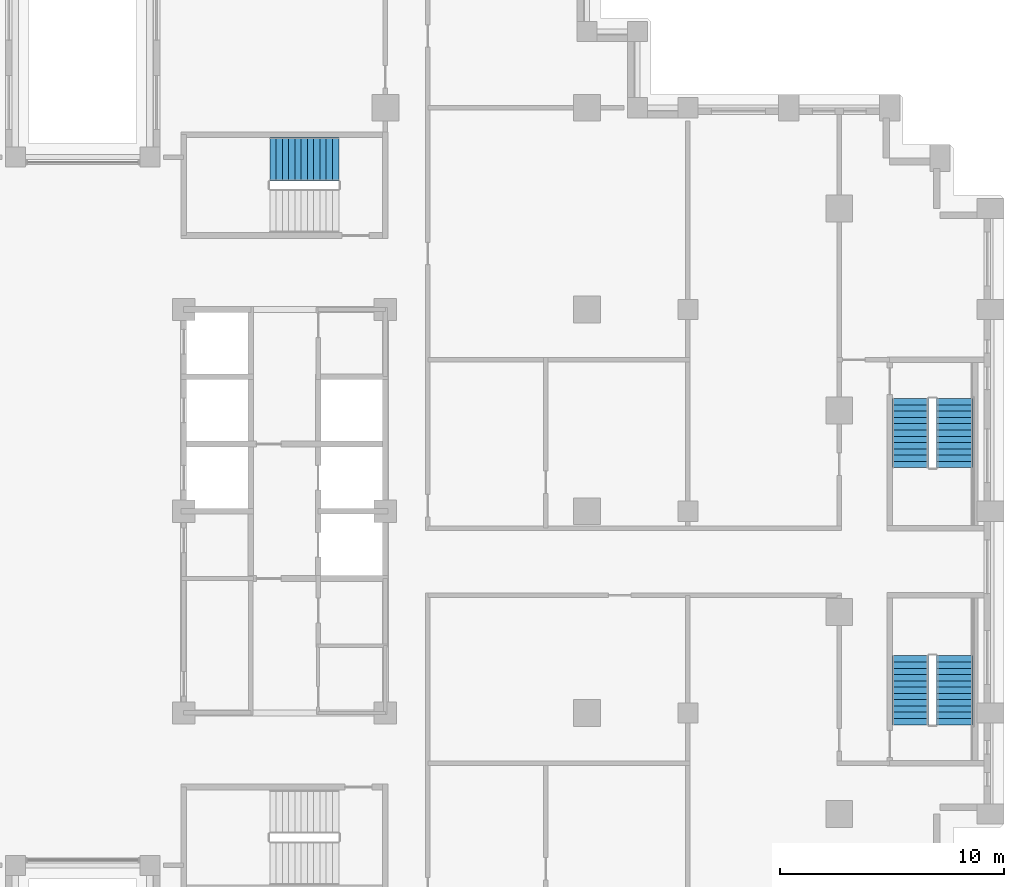
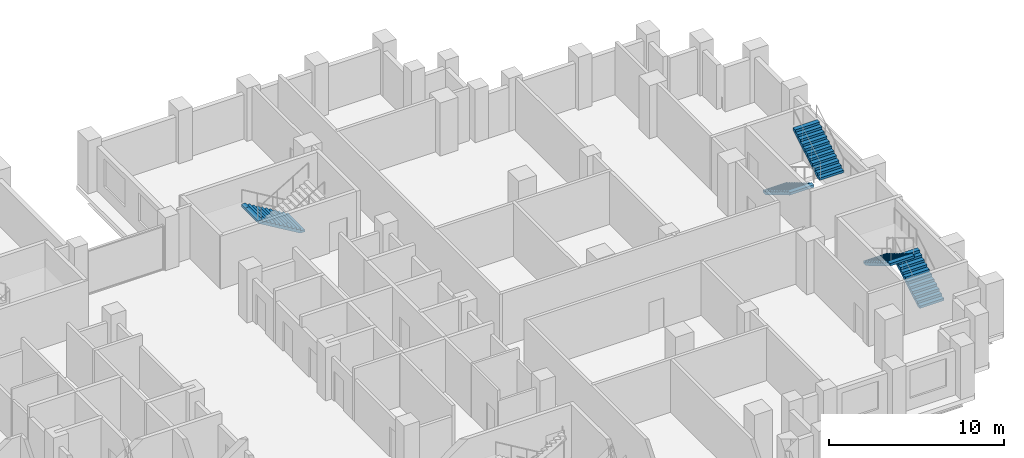
# One storey, part 14 of 16: 5 stair flights, 3 elements without a shape of their own.
"""IFC4 building model written with IfcOpenShell, lengths in metres."""

from ifc_helpers import new_model, si_unit, direction, frame, origin, place, context, subcontext, project, spatial, polyline, outline, extrude, material, type_object, element, aggregate, save


model = new_model("IFC4")

# Units and contexts
model_context = context("Model", 3, precision=1e-05, world=origin(), true_north=direction((0.0, 1.0)))
body_context = subcontext(model_context, "Body", "Model", "MODEL_VIEW")
ifc_project = project(units=[si_unit("LENGTHUNIT", "METRE"), si_unit("AREAUNIT", "SQUARE_METRE"), si_unit("VOLUMEUNIT", "CUBIC_METRE"), si_unit("PLANEANGLEUNIT", "RADIAN"), si_unit("MASSUNIT", "GRAM", prefix="KILO")], contexts=[model_context])

# Site, building, storey
site_placement = place(None, origin())
site = spatial("IfcSite", under=ifc_project, at=site_placement, CompositionType="ELEMENT")
building_placement = place(site_placement, origin())
building = spatial("IfcBuilding", under=site, at=building_placement, Name="Corbelhall Arena Tower", CompositionType="ELEMENT")
storey_placement = place(building_placement, frame((0.0, 0.0, 72.0)))
storey = spatial("IfcBuildingStorey", under=building, at=storey_placement, Name="L10", CompositionType="ELEMENT", Elevation=72.0)

# Stair, stair flight
ifc_material = material(Name="Concrete C40/50", Category="concrete")
stair_type = type_object("IfcStairType", Name="IN-ST-TOWER", PredefinedType="HALF_TURN_STAIR", material=ifc_material)
stair_1_placement = place(storey_placement, origin())
stair_1 = element("IfcStair", 1, at=stair_1_placement, inside=storey, type_object=stair_type, Name="L10 Exit stair ST3", PredefinedType="HALF_TURN_STAIR")
stair_flight_type = type_object("IfcStairFlightType", Name="IN-SFL-RC", PredefinedType="STRAIGHT", material=ifc_material)
stair_flight_1_placement = place(storey_placement, frame((11.425048828125, 15.699951171875, 0.0), z_axis=(0.0, 0.0, 1.0), x_axis=(-1.0, 0.0, 0.0)))
stair_flight_1 = element("IfcStairFlight", 2, at=stair_flight_1_placement, type_object=stair_flight_type, Name="ST3 flight 1", NumberOfRisers=12, NumberOfTreads=11, PredefinedType="STRAIGHT", RiserHeight=0.166666667, TreadLength=0.28, context=body_context, shape_type="SweptSolid", body=[
    extrude(outline(polyline([(0.0, 0.0), (0.0, 0.166748046875), (0.280029296875, 0.166748046875), (0.280029296875, 0.333251953125), (0.56005859375, 0.333251953125), (0.56005859375, 0.5), (0.840087890625, 0.5), (0.840087890625, 0.666748046875), (1.1201171875, 0.666748046875), (1.1201171875, 0.833251953125), (1.39990234375, 0.833251953125), (1.39990234375, 1.0), (1.679931640625, 1.0), (1.679931640625, 1.166748046875), (1.9599609375, 1.166748046875), (1.9599609375, 1.333251953125), (2.239990234375, 1.333251953125), (2.239990234375, 1.5), (2.52001953125, 1.5), (2.52001953125, 1.666748046875), (2.800048828125, 1.666748046875), (2.800048828125, 1.833251953125), (3.080078125, 1.833251953125), (3.080078125, 2.0), (3.080078125, 1.658935546875), (0.29296875, 0.0), (0.0, 0.0)])), frame((0.0, 0.97509765625, 0.0), z_axis=(0.0, -1.0, 0.0), x_axis=(1.0, 0.0, 0.0)), (0.0, 0.0, 1.0), 0.449951171875),
    extrude(outline(polyline([(0.0, 0.0), (0.0, 0.166748046875), (0.280029296875, 0.166748046875), (0.280029296875, 0.333251953125), (0.56005859375, 0.333251953125), (0.56005859375, 0.5), (0.840087890625, 0.5), (0.840087890625, 0.666748046875), (1.1201171875, 0.666748046875), (1.1201171875, 0.833251953125), (1.39990234375, 0.833251953125), (1.39990234375, 1.0), (1.679931640625, 1.0), (1.679931640625, 1.166748046875), (1.9599609375, 1.166748046875), (1.9599609375, 1.333251953125), (2.239990234375, 1.333251953125), (2.239990234375, 1.5), (2.52001953125, 1.5), (2.52001953125, 1.666748046875), (2.800048828125, 1.666748046875), (2.800048828125, 1.833251953125), (3.080078125, 1.833251953125), (3.080078125, 2.0), (3.080078125, 1.658935546875), (0.29296875, 0.0), (0.0, 0.0)])), frame((0.0, 0.52099609375, 0.0), z_axis=(0.0, -1.0, 0.0), x_axis=(1.0, 0.0, 0.0)), (0.0, 0.0, 1.0), 1.0419921875),
    extrude(outline(polyline([(0.0, 0.0), (0.0, 0.166748046875), (0.280029296875, 0.166748046875), (0.280029296875, 0.333251953125), (0.56005859375, 0.333251953125), (0.56005859375, 0.5), (0.840087890625, 0.5), (0.840087890625, 0.666748046875), (1.1201171875, 0.666748046875), (1.1201171875, 0.833251953125), (1.39990234375, 0.833251953125), (1.39990234375, 1.0), (1.679931640625, 1.0), (1.679931640625, 1.166748046875), (1.9599609375, 1.166748046875), (1.9599609375, 1.333251953125), (2.239990234375, 1.333251953125), (2.239990234375, 1.5), (2.52001953125, 1.5), (2.52001953125, 1.666748046875), (2.800048828125, 1.666748046875), (2.800048828125, 1.833251953125), (3.080078125, 1.833251953125), (3.080078125, 2.0), (3.080078125, 1.658935546875), (0.29296875, 0.0), (0.0, 0.0)])), frame((0.0, -0.52490234375, 0.0), z_axis=(0.0, -1.0, 0.0), x_axis=(1.0, 0.0, 0.0)), (0.0, 0.0, 1.0), 0.449951171875),
])
aggregate(stair_1, [stair_flight_1])

# Stair, stair flights
stair_2_placement = place(storey_placement, origin())
stair_2 = element("IfcStair", 3, at=stair_2_placement, inside=storey, type_object=stair_type, Name="L10 Exit stair SD1", PredefinedType="HALF_TURN_STAIR")
stair_flight_2_placement = place(storey_placement, frame((38.89990234375, -9.52490234375, 0.0), z_axis=(0.0, 0.0, 1.0), x_axis=(0.0, 1.0, 0.0)))
stair_flight_2 = element("IfcStairFlight", 4, at=stair_flight_2_placement, type_object=stair_flight_type, Name="SD1 flight 1", NumberOfRisers=12, NumberOfTreads=11, PredefinedType="STRAIGHT", RiserHeight=0.166666667, TreadLength=0.28, context=body_context, shape_type="SweptSolid", body=[
    extrude(outline(polyline([(0.0, 0.0), (0.0, 0.166748046875), (0.280029296875, 0.166748046875), (0.280029296875, 0.333251953125), (0.56005859375, 0.333251953125), (0.56005859375, 0.5), (0.840087890625, 0.5), (0.840087890625, 0.666748046875), (1.1201171875, 0.666748046875), (1.1201171875, 0.833251953125), (1.39990234375, 0.833251953125), (1.39990234375, 1.0), (1.679931640625, 1.0), (1.679931640625, 1.166748046875), (1.9599609375, 1.166748046875), (1.9599609375, 1.333251953125), (2.239990234375, 1.333251953125), (2.239990234375, 1.5), (2.52001953125, 1.5), (2.52001953125, 1.666748046875), (2.800048828125, 1.666748046875), (2.800048828125, 1.833251953125), (3.080078125, 1.833251953125), (3.080078125, 2.0), (3.080078125, 1.658935546875), (0.29296875, 0.0), (0.0, 0.0)])), frame((0.0, 0.800048828125, 0.0), z_axis=(0.0, -1.0, 0.0), x_axis=(1.0, 0.0, 0.0)), (0.0, 0.0, 1.0), 1.60009765625),
])
stair_flight_3_placement = place(storey_placement, frame((36.925048828125, -6.445068359375, 2.0), z_axis=(0.0, 0.0, 1.0), x_axis=(0.0, -1.0, 0.0)))
stair_flight_3 = element("IfcStairFlight", 5, at=stair_flight_3_placement, type_object=stair_flight_type, Name="SD1 flight 2", NumberOfRisers=12, NumberOfTreads=11, PredefinedType="STRAIGHT", RiserHeight=0.166666667, TreadLength=0.28, context=body_context, shape_type="SweptSolid", body=[
    extrude(outline(polyline([(0.0, 0.0), (0.0, 0.166748046875), (0.280029296875, 0.166748046875), (0.280029296875, 0.333251953125), (0.56005859375, 0.333251953125), (0.56005859375, 0.5), (0.840087890625, 0.5), (0.840087890625, 0.666748046875), (1.1201171875, 0.666748046875), (1.1201171875, 0.833251953125), (1.39990234375, 0.833251953125), (1.39990234375, 1.0), (1.679931640625, 1.0), (1.679931640625, 1.166748046875), (1.9599609375, 1.166748046875), (1.9599609375, 1.333251953125), (2.239990234375, 1.333251953125), (2.239990234375, 1.5), (2.52001953125, 1.5), (2.52001953125, 1.666748046875), (2.800048828125, 1.666748046875), (2.800048828125, 1.833251953125), (3.080078125, 1.833251953125), (3.080078125, 2.0), (3.080078125, 1.658935546875), (0.29296875, 0.0), (0.0, 0.0)])), frame((0.0, 0.800048828125, 0.0), z_axis=(0.0, -1.0, 0.0), x_axis=(1.0, 0.0, 0.0)), (0.0, 0.0, 1.0), 1.60009765625),
])
aggregate(stair_2, [stair_flight_2, stair_flight_3])

stair_3_placement = place(storey_placement, origin())
stair_3 = element("IfcStair", 6, at=stair_3_placement, inside=storey, type_object=stair_type, Name="L10 Exit stair SD2", PredefinedType="HALF_TURN_STAIR")
stair_flight_4_placement = place(storey_placement, frame((36.925048828125, 5.02490234375, 0.0), z_axis=(0.0, 0.0, 1.0), x_axis=(0.0, -1.0, 0.0)))
stair_flight_4 = element("IfcStairFlight", 7, at=stair_flight_4_placement, type_object=stair_flight_type, Name="SD2 flight 1", NumberOfRisers=12, NumberOfTreads=11, PredefinedType="STRAIGHT", RiserHeight=0.166666667, TreadLength=0.28, context=body_context, shape_type="SweptSolid", body=[
    extrude(outline(polyline([(0.0, 0.0), (0.0, 0.166748046875), (0.280029296875, 0.166748046875), (0.280029296875, 0.333251953125), (0.56005859375, 0.333251953125), (0.56005859375, 0.5), (0.840087890625, 0.5), (0.840087890625, 0.666748046875), (1.1201171875, 0.666748046875), (1.1201171875, 0.833251953125), (1.39990234375, 0.833251953125), (1.39990234375, 1.0), (1.679931640625, 1.0), (1.679931640625, 1.166748046875), (1.9599609375, 1.166748046875), (1.9599609375, 1.333251953125), (2.239990234375, 1.333251953125), (2.239990234375, 1.5), (2.52001953125, 1.5), (2.52001953125, 1.666748046875), (2.800048828125, 1.666748046875), (2.800048828125, 1.833251953125), (3.080078125, 1.833251953125), (3.080078125, 2.0), (3.080078125, 1.658935546875), (0.29296875, 0.0), (0.0, 0.0)])), frame((0.0, 0.800048828125, 0.0), z_axis=(0.0, -1.0, 0.0), x_axis=(1.0, 0.0, 0.0)), (0.0, 0.0, 1.0), 1.60009765625),
])
stair_flight_5_placement = place(storey_placement, frame((38.89990234375, 1.945068359375, 2.0), z_axis=(0.0, 0.0, 1.0), x_axis=(0.0, 1.0, 0.0)))
stair_flight_5 = element("IfcStairFlight", 8, at=stair_flight_5_placement, type_object=stair_flight_type, Name="SD2 flight 2", NumberOfRisers=12, NumberOfTreads=11, PredefinedType="STRAIGHT", RiserHeight=0.166666667, TreadLength=0.28, context=body_context, shape_type="SweptSolid", body=[
    extrude(outline(polyline([(0.0, 0.0), (0.0, 0.166748046875), (0.280029296875, 0.166748046875), (0.280029296875, 0.333251953125), (0.56005859375, 0.333251953125), (0.56005859375, 0.5), (0.840087890625, 0.5), (0.840087890625, 0.666748046875), (1.1201171875, 0.666748046875), (1.1201171875, 0.833251953125), (1.39990234375, 0.833251953125), (1.39990234375, 1.0), (1.679931640625, 1.0), (1.679931640625, 1.166748046875), (1.9599609375, 1.166748046875), (1.9599609375, 1.333251953125), (2.239990234375, 1.333251953125), (2.239990234375, 1.5), (2.52001953125, 1.5), (2.52001953125, 1.666748046875), (2.800048828125, 1.666748046875), (2.800048828125, 1.833251953125), (3.080078125, 1.833251953125), (3.080078125, 2.0), (3.080078125, 1.658935546875), (0.29296875, 0.0), (0.0, 0.0)])), frame((0.0, 0.800048828125, 0.0), z_axis=(0.0, -1.0, 0.0), x_axis=(1.0, 0.0, 0.0)), (0.0, 0.0, 1.0), 1.60009765625),
])
aggregate(stair_3, [stair_flight_4, stair_flight_5])

save(model, "model.ifc")
